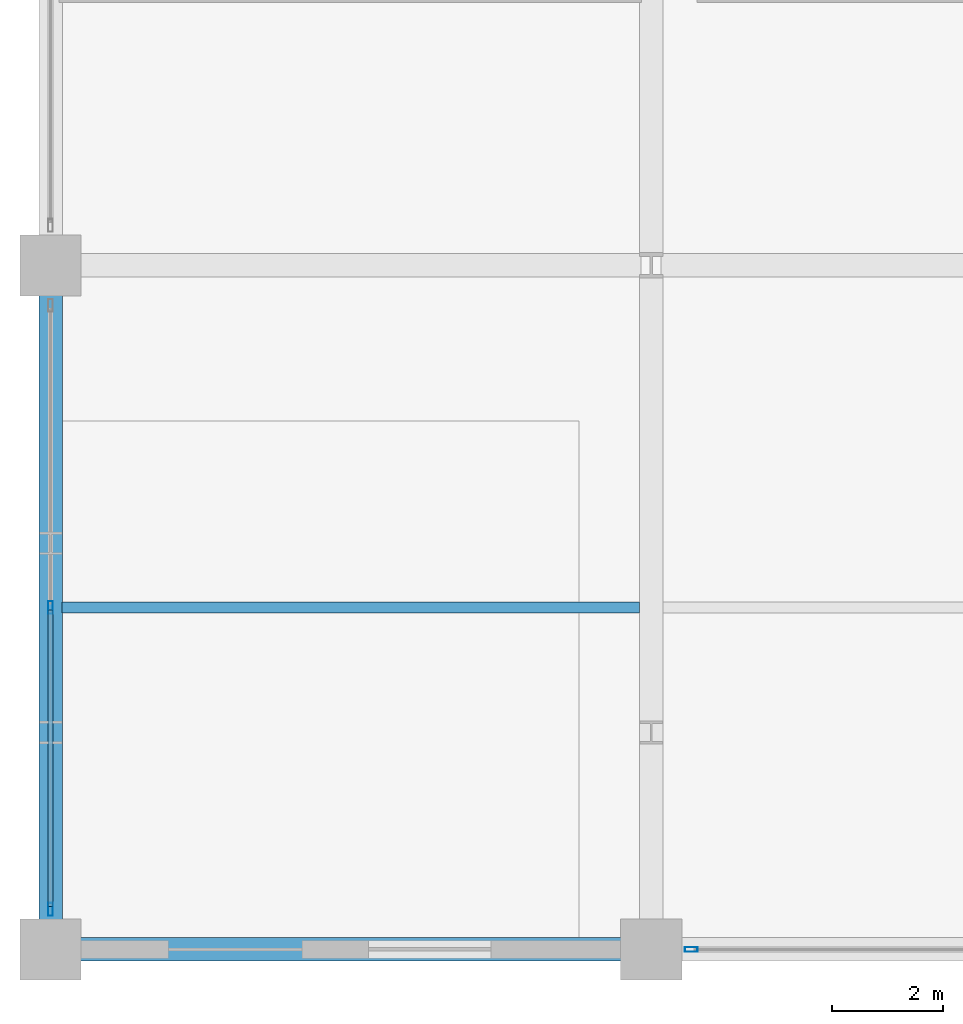
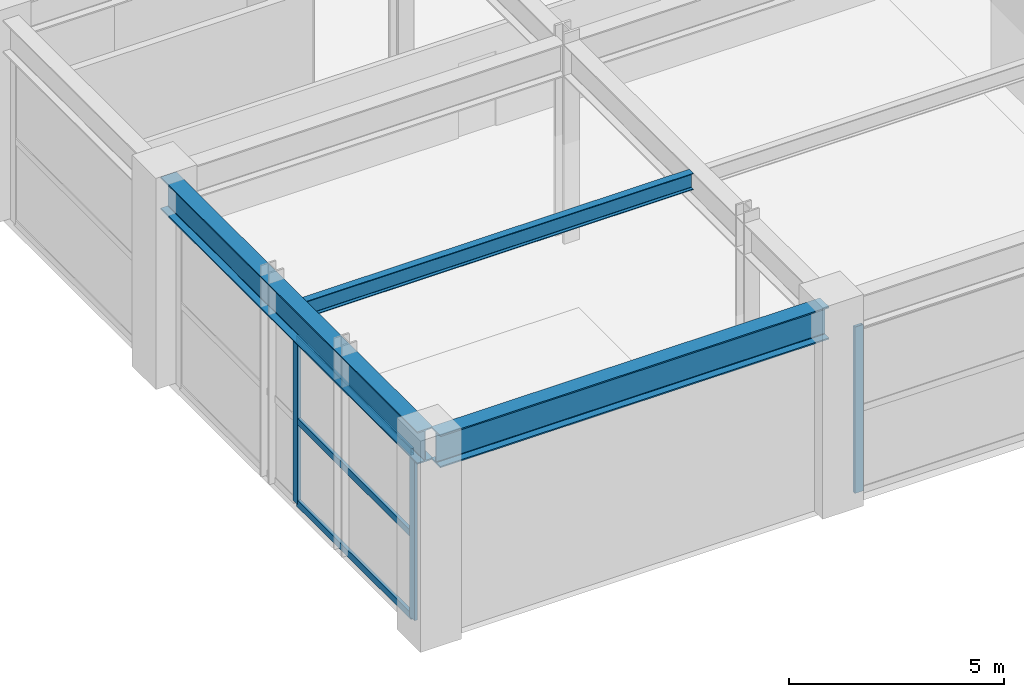
# One storey, part 4 of 41: 6 members, 3 beams, 2 elements without a shape of their own.
"""IFC4 building model written with IfcOpenShell, lengths in metres."""

from ifc_helpers import new_model, si_unit, direction, frame, origin, origin_2d, place, context, subcontext, project, spatial, hollow_rectangle, i_section, extrude, material, material_profile, profile_set, type_object, element, aggregate, save


model = new_model("IFC4")

# Units and contexts
model_context = context("Model", 3, precision=1e-05, world=origin(), true_north=direction((0.0, 1.0)))
body_context = subcontext(model_context, "Body", "Model", "MODEL_VIEW")
ifc_project = project(units=[si_unit("LENGTHUNIT", "METRE"), si_unit("AREAUNIT", "SQUARE_METRE"), si_unit("VOLUMEUNIT", "CUBIC_METRE"), si_unit("PLANEANGLEUNIT", "RADIAN"), si_unit("MASSUNIT", "GRAM", prefix="KILO")], contexts=[model_context])

# Site, building, storey
site_placement = place(None, origin())
site = spatial("IfcSite", under=ifc_project, at=site_placement, CompositionType="ELEMENT")
building_placement = place(site_placement, origin())
building = spatial("IfcBuilding", under=site, at=building_placement, Name="Kovane Verandah Tower", CompositionType="ELEMENT")
storey_placement = place(building_placement, origin())
storey = spatial("IfcBuildingStorey", under=building, at=storey_placement, Name="L00", CompositionType="ELEMENT", Elevation=0.0)

# Beams
ifc_material_1 = material(Name="Steel S460", Category="steel")
ifc_material_profile_1 = material_profile(ifc_material_1, i_section(OverallWidth=0.42041015625, OverallDepth=0.9208984375, WebThickness=0.021484375, FlangeThickness=0.03662109375, FilletRadius=0.024169921875, at=origin_2d()), Name="UB914x419x388")
ifc_profile_set_1 = profile_set([ifc_material_profile_1], Name="Steel S460")
beam_type_1 = type_object("IfcBeamType", Name="BM-UB914x388", PredefinedType="BEAM", material=ifc_profile_set_1)
beam_1_placement = place(storey_placement, frame((-1.820068359375, -1.5, 5.239501953125), z_axis=(1.0, 0.0, 0.0), x_axis=(0.0, 1.0, 0.0)))
element("IfcBeam", 1, at=beam_1_placement, inside=storey, type_object=beam_type_1, Name="L00 Podium Grid Girder X01", PredefinedType="BEAM", context=body_context, shape_type="SweptSolid", body=[
    extrude(i_section(OverallWidth=0.42041015625, OverallDepth=0.9208984375, WebThickness=0.021484375, FlangeThickness=0.03662109375, FilletRadius=0.024169921875, at=origin_2d()), origin(), (0.0, 0.0, 1.0), 10.440185546875),
])
beam_2_placement = place(storey_placement, frame((-2.0, -1.320068359375, 5.239501953125), z_axis=(0.0, 1.0, 0.0), x_axis=(-1.0, 0.0, 0.0)))
element("IfcBeam", 2, at=beam_2_placement, inside=storey, type_object=beam_type_1, Name="L00 Podium Grid Girder Y31", PredefinedType="BEAM", context=body_context, shape_type="SweptSolid", body=[
    extrude(i_section(OverallWidth=0.42041015625, OverallDepth=0.9208984375, WebThickness=0.021484375, FlangeThickness=0.03662109375, FilletRadius=0.024169921875, at=origin_2d()), origin(), (0.0, 0.0, 1.0), 11.940185546875),
])

# Curtain wall, member
ifc_material_2 = material(Name="Champagne Anodised Aluminium Frame with Low-E Clear Laminated Glass", Category="aluminium")
curtain_wall_type = type_object("IfcCurtainWallType", Name="CW-SYS-01-POD", PredefinedType="NOTDEFINED", material=ifc_material_2)
curtain_wall_1_placement = place(storey_placement, origin())
curtain_wall_1 = element("IfcCurtainWall", 3, at=curtain_wall_1_placement, inside=storey, type_object=curtain_wall_type, Name="Ground South Shopfront Curtain Wall Bay 2", PredefinedType="NOTDEFINED")
ifc_material_3 = material(Name="Champagne Anodised Aluminium 6063-T6", Category="aluminium")
ifc_material_profile_2 = material_profile(ifc_material_3, hollow_rectangle(XDim=0.0849609375, YDim=0.22998046875, WallThickness=0.00390625, at=origin_2d()), Name="AL85x230x4")
ifc_profile_set_2 = profile_set([ifc_material_profile_2], Name="Champagne Anodised Aluminium 6063-T6")
member_type_1 = type_object("IfcMemberType", Name="CW-MUL-85x230", PredefinedType="MULLION", material=ifc_profile_set_2)
member_1_placement = place(storey_placement, frame((9.52001953125, -1.5, 0.02001953125), z_axis=(0.0, 0.0, 1.0), x_axis=(0.0, -1.0, 0.0)))
member_1 = element("IfcMember", 4, at=member_1_placement, type_object=member_type_1, Name="Ground South Shopfront Curtain Wall Bay 2 Mullion 1", PredefinedType="MULLION", context=body_context, shape_type="SweptSolid", body=[
    extrude(hollow_rectangle(XDim=0.0849609375, YDim=0.22998046875, WallThickness=0.00390625, at=origin_2d()), origin(), (0.0, 0.0, 1.0), 4.718994140625),
])
aggregate(curtain_wall_1, [member_1])

# Curtain wall, members
curtain_wall_2_placement = place(storey_placement, origin())
curtain_wall_2 = element("IfcCurtainWall", 5, at=curtain_wall_2_placement, inside=storey, type_object=curtain_wall_type, Name="Ground West Shopfront Curtain Wall Bay 1", PredefinedType="NOTDEFINED")
member_2_placement = place(storey_placement, frame((-2.0, 4.64990234375, 0.02001953125), z_axis=(0.0, 0.0, 1.0), x_axis=(-1.0, 0.0, 0.0)))
member_2 = element("IfcMember", 6, at=member_2_placement, type_object=member_type_1, Name="Ground West Shopfront Curtain Wall Bay 1 Mullion 2", PredefinedType="MULLION", context=body_context, shape_type="SweptSolid", body=[
    extrude(hollow_rectangle(XDim=0.0849609375, YDim=0.22998046875, WallThickness=0.00390625, at=origin_2d()), origin(), (0.0, 0.0, 1.0), 4.718994140625),
])
member_3_placement = place(storey_placement, frame((-2.0, -0.780029296875, 0.02001953125), z_axis=(0.0, 0.0, 1.0), x_axis=(-1.0, 0.0, 0.0)))
member_3 = element("IfcMember", 7, at=member_3_placement, type_object=member_type_1, Name="Ground West Shopfront Curtain Wall Bay 1 Mullion 3", PredefinedType="MULLION", context=body_context, shape_type="SweptSolid", body=[
    extrude(hollow_rectangle(XDim=0.0849609375, YDim=0.22998046875, WallThickness=0.00390625, at=origin_2d()), origin(), (0.0, 0.0, 1.0), 4.718994140625),
])
ifc_material_profile_3 = material_profile(ifc_material_3, hollow_rectangle(XDim=0.0849609375, YDim=0.18994140625, WallThickness=0.00390625, at=origin_2d()), Name="AL85x190x4")
ifc_profile_set_3 = profile_set([ifc_material_profile_3], Name="Champagne Anodised Aluminium 6063-T6")
member_type_2 = type_object("IfcMemberType", Name="CW-TRN-85x190", PredefinedType="USERDEFINED", material=ifc_profile_set_3)
member_4_placement = place(storey_placement, frame((-2.0, 4.60009765625, 0.050048828125), z_axis=(0.0, -1.0, 0.0), x_axis=(1.0, 0.0, 0.0)))
member_4 = element("IfcMember", 8, at=member_4_placement, type_object=member_type_2, Name="Ground West Shopfront Curtain Wall Bay 1 Transom TB Bay 2", ObjectType="TRANSOM", PredefinedType="USERDEFINED", context=body_context, shape_type="SweptSolid", body=[
    extrude(hollow_rectangle(XDim=0.0849609375, YDim=0.18994140625, WallThickness=0.00390625, at=origin_2d()), origin(), (0.0, 0.0, 1.0), 5.330078125),
])
member_5_placement = place(storey_placement, frame((-2.0, 4.60009765625, 2.37939453125), z_axis=(0.0, -1.0, 0.0), x_axis=(1.0, 0.0, 0.0)))
member_5 = element("IfcMember", 9, at=member_5_placement, type_object=member_type_2, Name="Ground West Shopfront Curtain Wall Bay 1 Transom TM Bay 2", ObjectType="TRANSOM", PredefinedType="USERDEFINED", context=body_context, shape_type="SweptSolid", body=[
    extrude(hollow_rectangle(XDim=0.0849609375, YDim=0.18994140625, WallThickness=0.00390625, at=origin_2d()), origin(), (0.0, 0.0, 1.0), 5.330078125),
])
member_6_placement = place(storey_placement, frame((-2.0, 4.60009765625, 4.708984375), z_axis=(0.0, -1.0, 0.0), x_axis=(1.0, 0.0, 0.0)))
member_6 = element("IfcMember", 10, at=member_6_placement, type_object=member_type_2, Name="Ground West Shopfront Curtain Wall Bay 1 Transom TT Bay 2", ObjectType="TRANSOM", PredefinedType="USERDEFINED", context=body_context, shape_type="SweptSolid", body=[
    extrude(hollow_rectangle(XDim=0.0849609375, YDim=0.18994140625, WallThickness=0.00390625, at=origin_2d()), origin(), (0.0, 0.0, 1.0), 5.330078125),
])
aggregate(curtain_wall_2, [member_2, member_3, member_4, member_5, member_6])

# Beam
ifc_material_4 = material(Name="Steel S355", Category="steel")
ifc_material_profile_4 = material_profile(ifc_material_4, i_section(OverallWidth=0.19287109375, OverallDepth=0.46728515625, WebThickness=0.011474609375, FlangeThickness=0.01953125, FilletRadius=0.01025390625, at=origin_2d()), Name="UB457x191x98")
ifc_profile_set_4 = profile_set([ifc_material_profile_4], Name="Steel S355")
beam_type_2 = type_object("IfcBeamType", Name="JST-UB457x98", PredefinedType="JOIST", material=ifc_profile_set_4)
beam_3_placement = place(storey_placement, frame((-1.791748046875, 4.64990234375, 5.46630859375), z_axis=(1.0, 0.0, 0.0), x_axis=(0.0, 1.0, 0.0)))
element("IfcBeam", 11, at=beam_3_placement, inside=storey, type_object=beam_type_2, Name="L00 Podium Secondary Joist 01", PredefinedType="JOIST", context=body_context, shape_type="SweptSolid", body=[
    extrude(i_section(OverallWidth=0.19287109375, OverallDepth=0.46728515625, WebThickness=0.011474609375, FlangeThickness=0.01953125, FilletRadius=0.01025390625, at=origin_2d()), origin(), (0.0, 0.0, 1.0), 10.383544921875),
])

save(model, "model.ifc")
